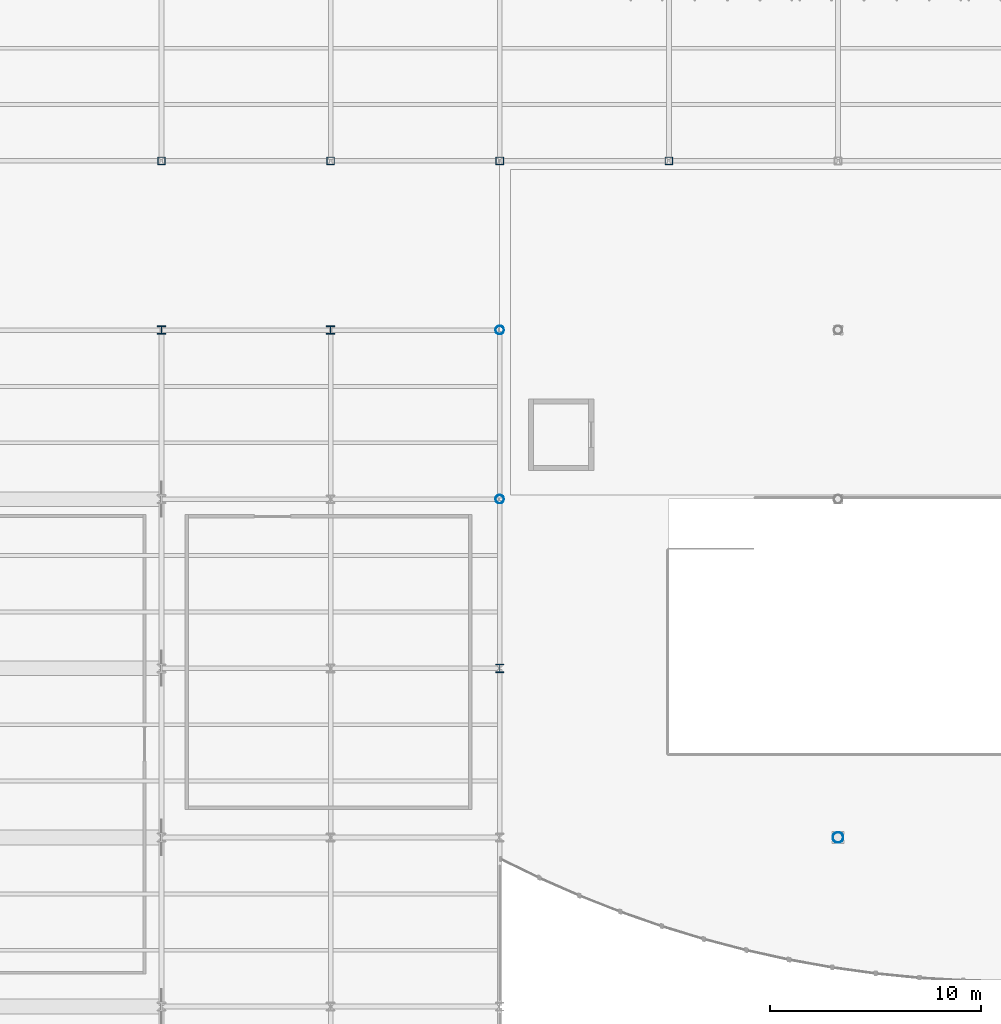
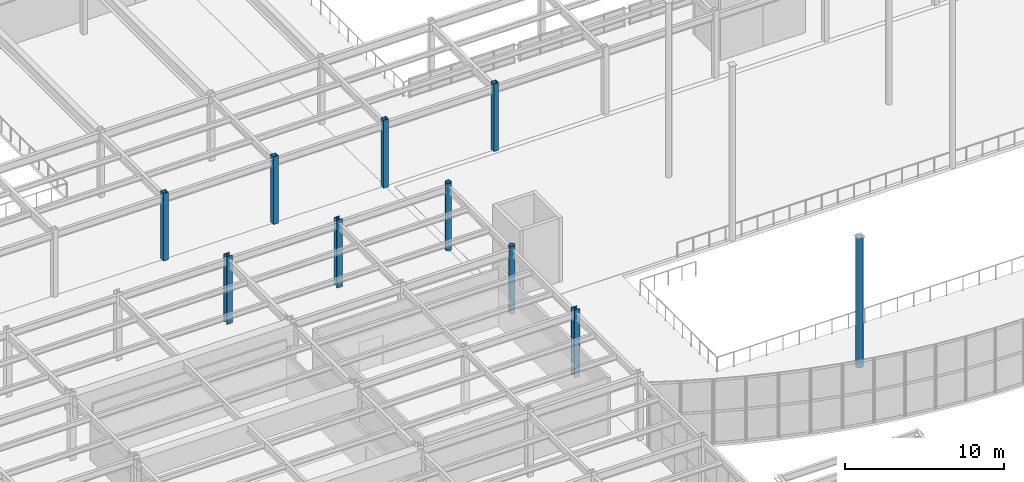
# One storey, part 4 of 77: 10 columns.
"""IFC4 building model written with IfcOpenShell, lengths in metres."""

from ifc_helpers import new_model, si_unit, direction, frame, origin, origin_2d, place, context, subcontext, project, spatial, hollow_rectangle, hollow_circle, i_section, extrude, material, material_profile, profile_set, type_object, element, save


model = new_model("IFC4")

# Units and contexts
model_context = context("Model", 3, precision=1e-05, world=origin(), true_north=direction((0.0, 1.0)))
body_context = subcontext(model_context, "Body", "Model", "MODEL_VIEW")
ifc_project = project(units=[si_unit("LENGTHUNIT", "METRE"), si_unit("AREAUNIT", "SQUARE_METRE"), si_unit("VOLUMEUNIT", "CUBIC_METRE"), si_unit("PLANEANGLEUNIT", "RADIAN"), si_unit("MASSUNIT", "GRAM", prefix="KILO")], contexts=[model_context])

# Site, building, storey
site_placement = place(None, origin())
site = spatial("IfcSite", under=ifc_project, at=site_placement, CompositionType="ELEMENT")
building_placement = place(site_placement, origin())
building = spatial("IfcBuilding", under=site, at=building_placement, Name="Drelvath Fold Interchange", CompositionType="ELEMENT")
storey_placement = place(building_placement, frame((0.0, 0.0, 6.0)))
storey = spatial("IfcBuildingStorey", under=building, at=storey_placement, Name="L01", CompositionType="ELEMENT", Elevation=6.0)

# Columns
ifc_material_1 = material(Name="Steel ASTM A500 Grade C", Category="steel")
ifc_material_profile_1 = material_profile(ifc_material_1, hollow_circle(Radius=0.25390625, WallThickness=0.014892578125, at=origin_2d()), Name="HSS20.000X0.625")
ifc_profile_set_1 = profile_set([ifc_material_profile_1], Name="Steel ASTM A500 Grade C")
column_type_1 = type_object("IfcColumnType", Name="COL-CFT508", PredefinedType="COLUMN", material=ifc_profile_set_1)
column_placement = place(storey_placement, frame((68.0, 27.0, 0.0), z_axis=(0.0, 0.0, 1.0), x_axis=(1.0, 0.0, 0.0)))
element("IfcColumn", 1, at=column_placement, inside=storey, type_object=column_type_1, Name="L01 column (68,27)", PredefinedType="COLUMN", context=body_context, shape_type="SweptSolid", body=[
    extrude(hollow_circle(Radius=0.25390625, WallThickness=0.014892578125, at=origin_2d()), origin(), (0.0, 0.0, 1.0), 9.964111328125),
])
ifc_material_profile_2 = material_profile(ifc_material_1, hollow_circle(Radius=0.202880859375, WallThickness=0.014892578125, at=origin_2d()), Name="HSS16.000X0.625")
ifc_profile_set_2 = profile_set([ifc_material_profile_2], Name="Steel ASTM A500 Grade C")
column_type_2 = type_object("IfcColumnType", Name="COL-CHS406", PredefinedType="COLUMN", material=ifc_profile_set_2)
for number, where, z_axis, x_axis, name in (
    (2, (52.0, 43.0, 0.0), (0.0, 0.0, 1.0), (1.0, 0.0, 0.0), "L01 column (52,43)"),
    (3, (52.0, 51.0, 0.0), (0.0, 0.0, 1.0), (1.0, 0.0, 0.0), "L01 column (52,51)"),
):
    element("IfcColumn", number, at=place(storey_placement, frame(where, z_axis=z_axis, x_axis=x_axis)), inside=storey, type_object=column_type_2, Name=name, PredefinedType="COLUMN", context=body_context, shape_type="SweptSolid", body=[
        extrude(hollow_circle(Radius=0.202880859375, WallThickness=0.014892578125, at=origin_2d()), origin(), (0.0, 0.0, 1.0), 5.199951171875),
    ])
ifc_material_profile_3 = material_profile(ifc_material_1, hollow_rectangle(XDim=0.35595703125, YDim=0.35595703125, WallThickness=0.014892578125, at=origin_2d()), Name="HSS14X14X5/8")
ifc_profile_set_3 = profile_set([ifc_material_profile_3], Name="Steel ASTM A500 Grade C")
column_type_3 = type_object("IfcColumnType", Name="COL-HSS356", PredefinedType="COLUMN", material=ifc_profile_set_3)
for number, where, z_axis, x_axis, name in (
    (4, (36.0, 59.0, 0.0), (0.0, 0.0, 1.0), (1.0, 0.0, 0.0), "L01 column (36,59)"),
    (5, (44.0, 59.0, 0.0), (0.0, 0.0, 1.0), (1.0, 0.0, 0.0), "L01 column (44,59)"),
    (6, (52.0, 59.0, 0.0), (0.0, 0.0, 1.0), (1.0, 0.0, 0.0), "L01 column (52,59)"),
    (7, (60.0, 59.0, 0.0), (0.0, 0.0, 1.0), (1.0, 0.0, 0.0), "L01 column (60,59)"),
):
    element("IfcColumn", number, at=place(storey_placement, frame(where, z_axis=z_axis, x_axis=x_axis)), inside=storey, type_object=column_type_3, Name=name, PredefinedType="COLUMN", context=body_context, shape_type="SweptSolid", body=[
        extrude(hollow_rectangle(XDim=0.35595703125, YDim=0.35595703125, WallThickness=0.014892578125, at=origin_2d()), origin(), (0.0, 0.0, 1.0), 5.199951171875),
    ])
ifc_material_2 = material(Name="Steel ASTM A992 Grade 50", Category="steel")
ifc_material_profile_4 = material_profile(ifc_material_2, i_section(OverallWidth=0.39892578125, OverallDepth=0.39306640625, WebThickness=0.022705078125, FlangeThickness=0.03662109375, at=origin_2d()), Name="W14X193")
ifc_profile_set_4 = profile_set([ifc_material_profile_4], Name="Steel ASTM A992 Grade 50")
column_type_4 = type_object("IfcColumnType", Name="COL-W14X193", PredefinedType="COLUMN", material=ifc_profile_set_4)
for number, where, z_axis, x_axis, name in (
    (8, (36.0, 51.0, 0.0), (0.0, 0.0, 1.0), (1.0, 0.0, 0.0), "L01 column (36,51)"),
    (9, (44.0, 51.0, 0.0), (0.0, 0.0, 1.0), (1.0, 0.0, 0.0), "L01 column (44,51)"),
    (10, (52.0, 35.0, 0.0), (0.0, 0.0, 1.0), (1.0, 0.0, 0.0), "L01 column (52,35)"),
):
    element("IfcColumn", number, at=place(storey_placement, frame(where, z_axis=z_axis, x_axis=x_axis)), inside=storey, type_object=column_type_4, Name=name, PredefinedType="COLUMN", context=body_context, shape_type="SweptSolid", body=[
        extrude(i_section(OverallWidth=0.39892578125, OverallDepth=0.39306640625, WebThickness=0.022705078125, FlangeThickness=0.03662109375, at=origin_2d()), origin(), (0.0, 0.0, 1.0), 5.199951171875),
    ])

save(model, "model.ifc")
